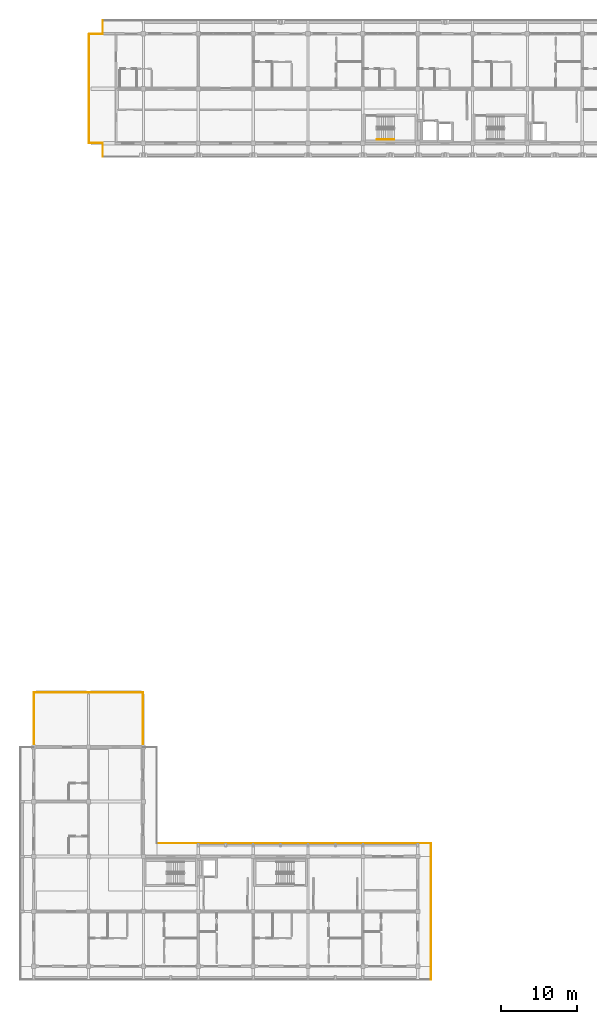
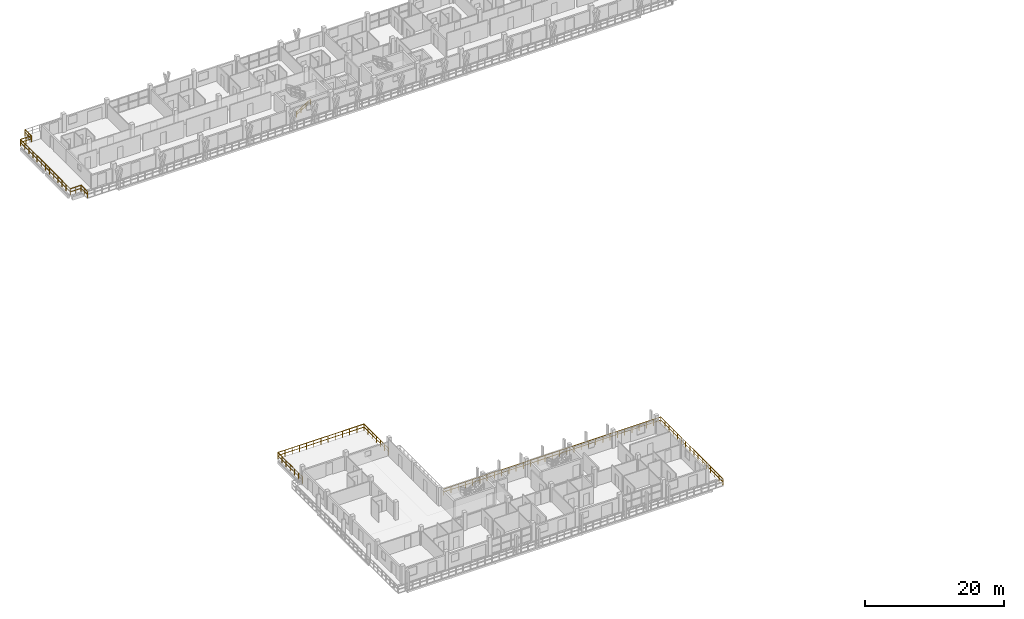
# One storey, part 56 of 67: 11 railings.
"""IFC4 building model written with IfcOpenShell, lengths in metres."""

from ifc_helpers import new_model, si_unit, direction, frame, origin, origin_2d, place, context, subcontext, project, spatial, rectangle, extrude, material, type_object, element, save


model = new_model("IFC4")

# Units and contexts
model_context = context("Model", 3, precision=1e-05, world=origin(), true_north=direction((0.0, 1.0)))
body_context = subcontext(model_context, "Body", "Model", "MODEL_VIEW")
ifc_project = project(units=[si_unit("LENGTHUNIT", "METRE"), si_unit("AREAUNIT", "SQUARE_METRE"), si_unit("VOLUMEUNIT", "CUBIC_METRE"), si_unit("PLANEANGLEUNIT", "RADIAN"), si_unit("MASSUNIT", "GRAM", prefix="KILO")], contexts=[model_context])

# Site, building, storey
site_placement = place(None, origin())
site = spatial("IfcSite", under=ifc_project, at=site_placement, CompositionType="ELEMENT")
building_placement = place(site_placement, origin())
building = spatial("IfcBuilding", under=site, at=building_placement, Name="Suanplinth Sawtooth Commons", CompositionType="ELEMENT")
storey_placement = place(building_placement, frame((0.0, 0.0, 25.10009765625)))
storey = spatial("IfcBuildingStorey", under=building, at=storey_placement, Name="L07", CompositionType="ELEMENT", Elevation=25.10009765625)

# Railings
ifc_material_1 = material(Name="Powder-coated galvanized steel", Category="steel")
railing_type_1 = type_object("IfcRailingType", Name="GR-01", PredefinedType="BALUSTRADE", material=ifc_material_1)
railing_1_placement = place(storey_placement, frame((9.06005859375, 108.06005859375, 0.0)))
element("IfcRailing", 1, at=railing_1_placement, inside=storey, type_object=railing_type_1, Name="L07 Block A Perimeter Balustrade 1", PredefinedType="BALUSTRADE", context=body_context, shape_type="SweptSolid", body=[
    extrude(rectangle(XDim=0.048095703125, YDim=0.048095703125, at=origin_2d()), frame((0.0, 0.0, 1.09619140625), z_axis=(-1.0, 0.0, 0.0), x_axis=(0.0, -1.0, 0.0)), (0.0, 0.0, 1.0), 1.800048828125),
    extrude(rectangle(XDim=0.03369140625, YDim=0.03369140625, at=origin_2d()), frame((0.0, 0.0, 0.56005859375), z_axis=(-1.0, 0.0, 0.0), x_axis=(0.0, -1.0, 0.0)), (0.0, 0.0, 1.0), 1.800048828125),
    extrude(rectangle(XDim=0.0419921875, YDim=0.0419921875, at=origin_2d()), origin(), (0.0, 0.0, 1.0), 1.072021484375),
    extrude(rectangle(XDim=0.0419921875, YDim=0.0419921875, at=origin_2d()), frame((-0.89990234375, 0.0, 0.0)), (0.0, 0.0, 1.0), 1.072021484375),
    extrude(rectangle(XDim=0.0419921875, YDim=0.0419921875, at=origin_2d()), frame((-1.800048828125, 0.0, 0.0)), (0.0, 0.0, 1.0), 1.072021484375),
])
railing_2_placement = place(storey_placement, frame((7.260009765625, 108.06005859375, 0.0)))
element("IfcRailing", 2, at=railing_2_placement, inside=storey, type_object=railing_type_1, Name="L07 Block A Perimeter Balustrade 2", PredefinedType="BALUSTRADE", context=body_context, shape_type="SweptSolid", body=[
    extrude(rectangle(XDim=0.048095703125, YDim=0.048095703125, at=origin_2d()), frame((0.0, 0.0, 1.09619140625), z_axis=(0.0, 1.0, 0.0), x_axis=(-1.0, 0.0, 0.0)), (0.0, 0.0, 1.0), 14.280029296875),
    extrude(rectangle(XDim=0.03369140625, YDim=0.03369140625, at=origin_2d()), frame((0.0, 0.0, 0.56005859375), z_axis=(0.0, 1.0, 0.0), x_axis=(-1.0, 0.0, 0.0)), (0.0, 0.0, 1.0), 14.280029296875),
    extrude(rectangle(XDim=0.0419921875, YDim=0.0419921875, at=origin_2d()), origin(), (0.0, 0.0, 1.0), 1.072021484375),
    extrude(rectangle(XDim=0.0419921875, YDim=0.0419921875, at=origin_2d()), frame((0.0, 1.18994140625, 0.0)), (0.0, 0.0, 1.0), 1.072021484375),
    extrude(rectangle(XDim=0.0419921875, YDim=0.0419921875, at=origin_2d()), frame((0.0, 2.3798828125, 0.0)), (0.0, 0.0, 1.0), 1.072021484375),
    extrude(rectangle(XDim=0.0419921875, YDim=0.0419921875, at=origin_2d()), frame((0.0, 3.570068359375, 0.0)), (0.0, 0.0, 1.0), 1.072021484375),
    extrude(rectangle(XDim=0.0419921875, YDim=0.0419921875, at=origin_2d()), frame((0.0, 4.760009765625, 0.0)), (0.0, 0.0, 1.0), 1.072021484375),
    extrude(rectangle(XDim=0.0419921875, YDim=0.0419921875, at=origin_2d()), frame((0.0, 5.949951171875, 0.0)), (0.0, 0.0, 1.0), 1.072021484375),
    extrude(rectangle(XDim=0.0419921875, YDim=0.0419921875, at=origin_2d()), frame((0.0, 7.14013671875, 0.0)), (0.0, 0.0, 1.0), 1.072021484375),
    extrude(rectangle(XDim=0.0419921875, YDim=0.0419921875, at=origin_2d()), frame((0.0, 8.330078125, 0.0)), (0.0, 0.0, 1.0), 1.072021484375),
    extrude(rectangle(XDim=0.0419921875, YDim=0.0419921875, at=origin_2d()), frame((0.0, 9.52001953125, 0.0)), (0.0, 0.0, 1.0), 1.072021484375),
    extrude(rectangle(XDim=0.0419921875, YDim=0.0419921875, at=origin_2d()), frame((0.0, 10.7099609375, 0.0)), (0.0, 0.0, 1.0), 1.072021484375),
    extrude(rectangle(XDim=0.0419921875, YDim=0.0419921875, at=origin_2d()), frame((0.0, 11.89990234375, 0.0)), (0.0, 0.0, 1.0), 1.072021484375),
    extrude(rectangle(XDim=0.0419921875, YDim=0.0419921875, at=origin_2d()), frame((0.0, 13.090087890625, 0.0)), (0.0, 0.0, 1.0), 1.072021484375),
    extrude(rectangle(XDim=0.0419921875, YDim=0.0419921875, at=origin_2d()), frame((0.0, 14.280029296875, 0.0)), (0.0, 0.0, 1.0), 1.072021484375),
])
railing_3_placement = place(storey_placement, frame((7.260009765625, 122.340087890625, 0.0)))
element("IfcRailing", 3, at=railing_3_placement, inside=storey, type_object=railing_type_1, Name="L07 Block A Perimeter Balustrade 3", PredefinedType="BALUSTRADE", context=body_context, shape_type="SweptSolid", body=[
    extrude(rectangle(XDim=0.048095703125, YDim=0.048095703125, at=origin_2d()), frame((0.0, 0.0, 1.09619140625), z_axis=(1.0, 0.0, 0.0), x_axis=(0.0, 1.0, 0.0)), (0.0, 0.0, 1.0), 1.800048828125),
    extrude(rectangle(XDim=0.03369140625, YDim=0.03369140625, at=origin_2d()), frame((0.0, 0.0, 0.56005859375), z_axis=(1.0, 0.0, 0.0), x_axis=(0.0, 1.0, 0.0)), (0.0, 0.0, 1.0), 1.800048828125),
    extrude(rectangle(XDim=0.0419921875, YDim=0.0419921875, at=origin_2d()), origin(), (0.0, 0.0, 1.0), 1.072021484375),
    extrude(rectangle(XDim=0.0419921875, YDim=0.0419921875, at=origin_2d()), frame((0.89990234375, 0.0, 0.0)), (0.0, 0.0, 1.0), 1.072021484375),
    extrude(rectangle(XDim=0.0419921875, YDim=0.0419921875, at=origin_2d()), frame((1.800048828125, 0.0, 0.0)), (0.0, 0.0, 1.0), 1.072021484375),
])
railing_4_placement = place(storey_placement, frame((9.06005859375, 122.340087890625, 0.0)))
element("IfcRailing", 4, at=railing_4_placement, inside=storey, type_object=railing_type_1, Name="L07 Block A Perimeter Balustrade 4", PredefinedType="BALUSTRADE", context=body_context, shape_type="SweptSolid", body=[
    extrude(rectangle(XDim=0.048095703125, YDim=0.048095703125, at=origin_2d()), frame((0.0, 0.0, 1.09619140625), z_axis=(0.0, 1.0, 0.0), x_axis=(-1.0, 0.0, 0.0)), (0.0, 0.0, 1.0), 1.7998046875),
    extrude(rectangle(XDim=0.03369140625, YDim=0.03369140625, at=origin_2d()), frame((0.0, 0.0, 0.56005859375), z_axis=(0.0, 1.0, 0.0), x_axis=(-1.0, 0.0, 0.0)), (0.0, 0.0, 1.0), 1.7998046875),
    extrude(rectangle(XDim=0.0419921875, YDim=0.0419921875, at=origin_2d()), origin(), (0.0, 0.0, 1.0), 1.072021484375),
    extrude(rectangle(XDim=0.0419921875, YDim=0.0419921875, at=origin_2d()), frame((0.0, 0.89990234375, 0.0)), (0.0, 0.0, 1.0), 1.072021484375),
    extrude(rectangle(XDim=0.0419921875, YDim=0.0419921875, at=origin_2d()), frame((0.0, 1.7998046875, 0.0)), (0.0, 0.0, 1.0), 1.072021484375),
])
railing_5_placement = place(storey_placement, frame((9.06005859375, 106.260009765625, 0.0)))
element("IfcRailing", 5, at=railing_5_placement, inside=storey, type_object=railing_type_1, Name="L07 Block A Perimeter Balustrade 12", PredefinedType="BALUSTRADE", context=body_context, shape_type="SweptSolid", body=[
    extrude(rectangle(XDim=0.048095703125, YDim=0.048095703125, at=origin_2d()), frame((0.0, 0.0, 1.09619140625), z_axis=(0.0, 1.0, 0.0), x_axis=(-1.0, 0.0, 0.0)), (0.0, 0.0, 1.0), 1.800048828125),
    extrude(rectangle(XDim=0.03369140625, YDim=0.03369140625, at=origin_2d()), frame((0.0, 0.0, 0.56005859375), z_axis=(0.0, 1.0, 0.0), x_axis=(-1.0, 0.0, 0.0)), (0.0, 0.0, 1.0), 1.800048828125),
    extrude(rectangle(XDim=0.0419921875, YDim=0.0419921875, at=origin_2d()), origin(), (0.0, 0.0, 1.0), 1.072021484375),
    extrude(rectangle(XDim=0.0419921875, YDim=0.0419921875, at=origin_2d()), frame((0.0, 0.89990234375, 0.0)), (0.0, 0.0, 1.0), 1.072021484375),
    extrude(rectangle(XDim=0.0419921875, YDim=0.0419921875, at=origin_2d()), frame((0.0, 1.800048828125, 0.0)), (0.0, 0.0, 1.0), 1.072021484375),
])
railing_6_placement = place(storey_placement, frame((0.06005859375, 28.820068359375, 0.0)))
element("IfcRailing", 6, at=railing_6_placement, inside=storey, type_object=railing_type_1, Name="L07 Block D Perimeter Balustrade 3", PredefinedType="BALUSTRADE", context=body_context, shape_type="SweptSolid", body=[
    extrude(rectangle(XDim=0.048095703125, YDim=0.048095703125, at=origin_2d()), frame((0.0, 0.0, 1.09619140625), z_axis=(0.0, 1.0, 0.0), x_axis=(-1.0, 0.0, 0.0)), (0.0, 0.0, 1.0), 7.119873046875),
    extrude(rectangle(XDim=0.03369140625, YDim=0.03369140625, at=origin_2d()), frame((0.0, 0.0, 0.56005859375), z_axis=(0.0, 1.0, 0.0), x_axis=(-1.0, 0.0, 0.0)), (0.0, 0.0, 1.0), 7.119873046875),
    extrude(rectangle(XDim=0.0419921875, YDim=0.0419921875, at=origin_2d()), origin(), (0.0, 0.0, 1.0), 1.072021484375),
    extrude(rectangle(XDim=0.0419921875, YDim=0.0419921875, at=origin_2d()), frame((0.0, 1.1865234375, 0.0)), (0.0, 0.0, 1.0), 1.072021484375),
    extrude(rectangle(XDim=0.0419921875, YDim=0.0419921875, at=origin_2d()), frame((0.0, 2.373291015625, 0.0)), (0.0, 0.0, 1.0), 1.072021484375),
    extrude(rectangle(XDim=0.0419921875, YDim=0.0419921875, at=origin_2d()), frame((0.0, 3.56005859375, 0.0)), (0.0, 0.0, 1.0), 1.072021484375),
    extrude(rectangle(XDim=0.0419921875, YDim=0.0419921875, at=origin_2d()), frame((0.0, 4.74658203125, 0.0)), (0.0, 0.0, 1.0), 1.072021484375),
    extrude(rectangle(XDim=0.0419921875, YDim=0.0419921875, at=origin_2d()), frame((0.0, 5.93310546875, 0.0)), (0.0, 0.0, 1.0), 1.072021484375),
    extrude(rectangle(XDim=0.0419921875, YDim=0.0419921875, at=origin_2d()), frame((0.0, 7.119873046875, 0.0)), (0.0, 0.0, 1.0), 1.072021484375),
])
railing_7_placement = place(storey_placement, frame((0.06005859375, 35.93994140625, 0.0)))
element("IfcRailing", 7, at=railing_7_placement, inside=storey, type_object=railing_type_1, Name="L07 Block D Perimeter Balustrade 4", PredefinedType="BALUSTRADE", context=body_context, shape_type="SweptSolid", body=[
    extrude(rectangle(XDim=0.048095703125, YDim=0.048095703125, at=origin_2d()), frame((0.0, 0.0, 1.09619140625), z_axis=(1.0, 0.0, 0.0), x_axis=(0.0, 1.0, 0.0)), (0.0, 0.0, 1.0), 14.280029296875),
    extrude(rectangle(XDim=0.03369140625, YDim=0.03369140625, at=origin_2d()), frame((0.0, 0.0, 0.56005859375), z_axis=(1.0, 0.0, 0.0), x_axis=(0.0, 1.0, 0.0)), (0.0, 0.0, 1.0), 14.280029296875),
    extrude(rectangle(XDim=0.0419921875, YDim=0.0419921875, at=origin_2d()), origin(), (0.0, 0.0, 1.0), 1.072021484375),
    extrude(rectangle(XDim=0.0419921875, YDim=0.0419921875, at=origin_2d()), frame((1.18994140625, 0.0, 0.0)), (0.0, 0.0, 1.0), 1.072021484375),
    extrude(rectangle(XDim=0.0419921875, YDim=0.0419921875, at=origin_2d()), frame((2.3798828125, 0.0, 0.0)), (0.0, 0.0, 1.0), 1.072021484375),
    extrude(rectangle(XDim=0.0419921875, YDim=0.0419921875, at=origin_2d()), frame((3.570068359375, 0.0, 0.0)), (0.0, 0.0, 1.0), 1.072021484375),
    extrude(rectangle(XDim=0.0419921875, YDim=0.0419921875, at=origin_2d()), frame((4.760009765625, 0.0, 0.0)), (0.0, 0.0, 1.0), 1.072021484375),
    extrude(rectangle(XDim=0.0419921875, YDim=0.0419921875, at=origin_2d()), frame((5.949951171875, 0.0, 0.0)), (0.0, 0.0, 1.0), 1.072021484375),
    extrude(rectangle(XDim=0.0419921875, YDim=0.0419921875, at=origin_2d()), frame((7.14013671875, 0.0, 0.0)), (0.0, 0.0, 1.0), 1.072021484375),
    extrude(rectangle(XDim=0.0419921875, YDim=0.0419921875, at=origin_2d()), frame((8.330078125, 0.0, 0.0)), (0.0, 0.0, 1.0), 1.072021484375),
    extrude(rectangle(XDim=0.0419921875, YDim=0.0419921875, at=origin_2d()), frame((9.52001953125, 0.0, 0.0)), (0.0, 0.0, 1.0), 1.072021484375),
    extrude(rectangle(XDim=0.0419921875, YDim=0.0419921875, at=origin_2d()), frame((10.7099609375, 0.0, 0.0)), (0.0, 0.0, 1.0), 1.072021484375),
    extrude(rectangle(XDim=0.0419921875, YDim=0.0419921875, at=origin_2d()), frame((11.89990234375, 0.0, 0.0)), (0.0, 0.0, 1.0), 1.072021484375),
    extrude(rectangle(XDim=0.0419921875, YDim=0.0419921875, at=origin_2d()), frame((13.090087890625, 0.0, 0.0)), (0.0, 0.0, 1.0), 1.072021484375),
    extrude(rectangle(XDim=0.0419921875, YDim=0.0419921875, at=origin_2d()), frame((14.280029296875, 0.0, 0.0)), (0.0, 0.0, 1.0), 1.072021484375),
])
railing_8_placement = place(storey_placement, frame((14.340087890625, 35.93994140625, 0.0)))
element("IfcRailing", 8, at=railing_8_placement, inside=storey, type_object=railing_type_1, Name="L07 Block D Perimeter Balustrade 5", PredefinedType="BALUSTRADE", context=body_context, shape_type="SweptSolid", body=[
    extrude(rectangle(XDim=0.048095703125, YDim=0.048095703125, at=origin_2d()), frame((0.0, 0.0, 1.09619140625), z_axis=(0.0, -1.0, 0.0), x_axis=(1.0, 0.0, 0.0)), (0.0, 0.0, 1.0), 7.119873046875),
    extrude(rectangle(XDim=0.03369140625, YDim=0.03369140625, at=origin_2d()), frame((0.0, 0.0, 0.56005859375), z_axis=(0.0, -1.0, 0.0), x_axis=(1.0, 0.0, 0.0)), (0.0, 0.0, 1.0), 7.119873046875),
    extrude(rectangle(XDim=0.0419921875, YDim=0.0419921875, at=origin_2d()), origin(), (0.0, 0.0, 1.0), 1.072021484375),
    extrude(rectangle(XDim=0.0419921875, YDim=0.0419921875, at=origin_2d()), frame((0.0, -1.1865234375, 0.0)), (0.0, 0.0, 1.0), 1.072021484375),
    extrude(rectangle(XDim=0.0419921875, YDim=0.0419921875, at=origin_2d()), frame((0.0, -2.373291015625, 0.0)), (0.0, 0.0, 1.0), 1.072021484375),
    extrude(rectangle(XDim=0.0419921875, YDim=0.0419921875, at=origin_2d()), frame((0.0, -3.56005859375, 0.0)), (0.0, 0.0, 1.0), 1.072021484375),
    extrude(rectangle(XDim=0.0419921875, YDim=0.0419921875, at=origin_2d()), frame((0.0, -4.74658203125, 0.0)), (0.0, 0.0, 1.0), 1.072021484375),
    extrude(rectangle(XDim=0.0419921875, YDim=0.0419921875, at=origin_2d()), frame((0.0, -5.93310546875, 0.0)), (0.0, 0.0, 1.0), 1.072021484375),
    extrude(rectangle(XDim=0.0419921875, YDim=0.0419921875, at=origin_2d()), frame((0.0, -7.119873046875, 0.0)), (0.0, 0.0, 1.0), 1.072021484375),
])
railing_9_placement = place(storey_placement, frame((16.139892578125, 16.139892578125, 0.0)))
element("IfcRailing", 9, at=railing_9_placement, inside=storey, type_object=railing_type_1, Name="L07 Block D Perimeter Balustrade 8", PredefinedType="BALUSTRADE", context=body_context, shape_type="SweptSolid", body=[
    extrude(rectangle(XDim=0.048095703125, YDim=0.048095703125, at=origin_2d()), frame((0.0, 0.0, 1.09619140625), z_axis=(1.0, 0.0, 0.0), x_axis=(0.0, 1.0, 0.0)), (0.0, 0.0, 1.0), 36.0),
    extrude(rectangle(XDim=0.03369140625, YDim=0.03369140625, at=origin_2d()), frame((0.0, 0.0, 0.56005859375), z_axis=(1.0, 0.0, 0.0), x_axis=(0.0, 1.0, 0.0)), (0.0, 0.0, 1.0), 36.0),
    extrude(rectangle(XDim=0.0419921875, YDim=0.0419921875, at=origin_2d()), origin(), (0.0, 0.0, 1.0), 1.072021484375),
    extrude(rectangle(XDim=0.0419921875, YDim=0.0419921875, at=origin_2d()), frame((1.199951171875, 0.0, 0.0)), (0.0, 0.0, 1.0), 1.072021484375),
    extrude(rectangle(XDim=0.0419921875, YDim=0.0419921875, at=origin_2d()), frame((2.39990234375, 0.0, 0.0)), (0.0, 0.0, 1.0), 1.072021484375),
    extrude(rectangle(XDim=0.0419921875, YDim=0.0419921875, at=origin_2d()), frame((3.60009765625, 0.0, 0.0)), (0.0, 0.0, 1.0), 1.072021484375),
    extrude(rectangle(XDim=0.0419921875, YDim=0.0419921875, at=origin_2d()), frame((4.800048828125, 0.0, 0.0)), (0.0, 0.0, 1.0), 1.072021484375),
    extrude(rectangle(XDim=0.0419921875, YDim=0.0419921875, at=origin_2d()), frame((6.0, 0.0, 0.0)), (0.0, 0.0, 1.0), 1.072021484375),
    extrude(rectangle(XDim=0.0419921875, YDim=0.0419921875, at=origin_2d()), frame((7.199951171875, 0.0, 0.0)), (0.0, 0.0, 1.0), 1.072021484375),
    extrude(rectangle(XDim=0.0419921875, YDim=0.0419921875, at=origin_2d()), frame((8.39990234375, 0.0, 0.0)), (0.0, 0.0, 1.0), 1.072021484375),
    extrude(rectangle(XDim=0.0419921875, YDim=0.0419921875, at=origin_2d()), frame((9.60009765625, 0.0, 0.0)), (0.0, 0.0, 1.0), 1.072021484375),
    extrude(rectangle(XDim=0.0419921875, YDim=0.0419921875, at=origin_2d()), frame((10.800048828125, 0.0, 0.0)), (0.0, 0.0, 1.0), 1.072021484375),
    extrude(rectangle(XDim=0.0419921875, YDim=0.0419921875, at=origin_2d()), frame((12.0, 0.0, 0.0)), (0.0, 0.0, 1.0), 1.072021484375),
    extrude(rectangle(XDim=0.0419921875, YDim=0.0419921875, at=origin_2d()), frame((13.199951171875, 0.0, 0.0)), (0.0, 0.0, 1.0), 1.072021484375),
    extrude(rectangle(XDim=0.0419921875, YDim=0.0419921875, at=origin_2d()), frame((14.39990234375, 0.0, 0.0)), (0.0, 0.0, 1.0), 1.072021484375),
    extrude(rectangle(XDim=0.0419921875, YDim=0.0419921875, at=origin_2d()), frame((15.60009765625, 0.0, 0.0)), (0.0, 0.0, 1.0), 1.072021484375),
    extrude(rectangle(XDim=0.0419921875, YDim=0.0419921875, at=origin_2d()), frame((16.800048828125, 0.0, 0.0)), (0.0, 0.0, 1.0), 1.072021484375),
    extrude(rectangle(XDim=0.0419921875, YDim=0.0419921875, at=origin_2d()), frame((18.0, 0.0, 0.0)), (0.0, 0.0, 1.0), 1.072021484375),
    extrude(rectangle(XDim=0.0419921875, YDim=0.0419921875, at=origin_2d()), frame((19.199951171875, 0.0, 0.0)), (0.0, 0.0, 1.0), 1.072021484375),
    extrude(rectangle(XDim=0.0419921875, YDim=0.0419921875, at=origin_2d()), frame((20.39990234375, 0.0, 0.0)), (0.0, 0.0, 1.0), 1.072021484375),
    extrude(rectangle(XDim=0.0419921875, YDim=0.0419921875, at=origin_2d()), frame((21.60009765625, 0.0, 0.0)), (0.0, 0.0, 1.0), 1.072021484375),
    extrude(rectangle(XDim=0.0419921875, YDim=0.0419921875, at=origin_2d()), frame((22.800048828125, 0.0, 0.0)), (0.0, 0.0, 1.0), 1.072021484375),
    extrude(rectangle(XDim=0.0419921875, YDim=0.0419921875, at=origin_2d()), frame((24.0, 0.0, 0.0)), (0.0, 0.0, 1.0), 1.072021484375),
    extrude(rectangle(XDim=0.0419921875, YDim=0.0419921875, at=origin_2d()), frame((25.199951171875, 0.0, 0.0)), (0.0, 0.0, 1.0), 1.072021484375),
    extrude(rectangle(XDim=0.0419921875, YDim=0.0419921875, at=origin_2d()), frame((26.39990234375, 0.0, 0.0)), (0.0, 0.0, 1.0), 1.072021484375),
    extrude(rectangle(XDim=0.0419921875, YDim=0.0419921875, at=origin_2d()), frame((27.60009765625, 0.0, 0.0)), (0.0, 0.0, 1.0), 1.072021484375),
    extrude(rectangle(XDim=0.0419921875, YDim=0.0419921875, at=origin_2d()), frame((28.800048828125, 0.0, 0.0)), (0.0, 0.0, 1.0), 1.072021484375),
    extrude(rectangle(XDim=0.0419921875, YDim=0.0419921875, at=origin_2d()), frame((30.0, 0.0, 0.0)), (0.0, 0.0, 1.0), 1.072021484375),
    extrude(rectangle(XDim=0.0419921875, YDim=0.0419921875, at=origin_2d()), frame((31.199951171875, 0.0, 0.0)), (0.0, 0.0, 1.0), 1.072021484375),
    extrude(rectangle(XDim=0.0419921875, YDim=0.0419921875, at=origin_2d()), frame((32.39990234375, 0.0, 0.0)), (0.0, 0.0, 1.0), 1.072021484375),
    extrude(rectangle(XDim=0.0419921875, YDim=0.0419921875, at=origin_2d()), frame((33.60009765625, 0.0, 0.0)), (0.0, 0.0, 1.0), 1.072021484375),
    extrude(rectangle(XDim=0.0419921875, YDim=0.0419921875, at=origin_2d()), frame((34.800048828125, 0.0, 0.0)), (0.0, 0.0, 1.0), 1.072021484375),
    extrude(rectangle(XDim=0.0419921875, YDim=0.0419921875, at=origin_2d()), frame((36.0, 0.0, 0.0)), (0.0, 0.0, 1.0), 1.072021484375),
])
railing_10_placement = place(storey_placement, frame((52.139892578125, 16.139892578125, 0.0)))
element("IfcRailing", 10, at=railing_10_placement, inside=storey, type_object=railing_type_1, Name="L07 Block D Perimeter Balustrade 9", PredefinedType="BALUSTRADE", context=body_context, shape_type="SweptSolid", body=[
    extrude(rectangle(XDim=0.048095703125, YDim=0.048095703125, at=origin_2d()), frame((0.0, 0.0, 1.09619140625), z_axis=(0.0, -1.0, 0.0), x_axis=(1.0, 0.0, 0.0)), (0.0, 0.0, 1.0), 17.8798828125),
    extrude(rectangle(XDim=0.03369140625, YDim=0.03369140625, at=origin_2d()), frame((0.0, 0.0, 0.56005859375), z_axis=(0.0, -1.0, 0.0), x_axis=(1.0, 0.0, 0.0)), (0.0, 0.0, 1.0), 17.8798828125),
    extrude(rectangle(XDim=0.0419921875, YDim=0.0419921875, at=origin_2d()), origin(), (0.0, 0.0, 1.0), 1.072021484375),
    extrude(rectangle(XDim=0.0419921875, YDim=0.0419921875, at=origin_2d()), frame((0.0, -1.19189453125, 0.0)), (0.0, 0.0, 1.0), 1.072021484375),
    extrude(rectangle(XDim=0.0419921875, YDim=0.0419921875, at=origin_2d()), frame((0.0, -2.384033203125, 0.0)), (0.0, 0.0, 1.0), 1.072021484375),
    extrude(rectangle(XDim=0.0419921875, YDim=0.0419921875, at=origin_2d()), frame((0.0, -3.575927734375, 0.0)), (0.0, 0.0, 1.0), 1.072021484375),
    extrude(rectangle(XDim=0.0419921875, YDim=0.0419921875, at=origin_2d()), frame((0.0, -4.76806640625, 0.0)), (0.0, 0.0, 1.0), 1.072021484375),
    extrude(rectangle(XDim=0.0419921875, YDim=0.0419921875, at=origin_2d()), frame((0.0, -5.9599609375, 0.0)), (0.0, 0.0, 1.0), 1.072021484375),
    extrude(rectangle(XDim=0.0419921875, YDim=0.0419921875, at=origin_2d()), frame((0.0, -7.15185546875, 0.0)), (0.0, 0.0, 1.0), 1.072021484375),
    extrude(rectangle(XDim=0.0419921875, YDim=0.0419921875, at=origin_2d()), frame((0.0, -8.343994140625, 0.0)), (0.0, 0.0, 1.0), 1.072021484375),
    extrude(rectangle(XDim=0.0419921875, YDim=0.0419921875, at=origin_2d()), frame((0.0, -9.535888671875, 0.0)), (0.0, 0.0, 1.0), 1.072021484375),
    extrude(rectangle(XDim=0.0419921875, YDim=0.0419921875, at=origin_2d()), frame((0.0, -10.72802734375, 0.0)), (0.0, 0.0, 1.0), 1.072021484375),
    extrude(rectangle(XDim=0.0419921875, YDim=0.0419921875, at=origin_2d()), frame((0.0, -11.919921875, 0.0)), (0.0, 0.0, 1.0), 1.072021484375),
    extrude(rectangle(XDim=0.0419921875, YDim=0.0419921875, at=origin_2d()), frame((0.0, -13.11181640625, 0.0)), (0.0, 0.0, 1.0), 1.072021484375),
    extrude(rectangle(XDim=0.0419921875, YDim=0.0419921875, at=origin_2d()), frame((0.0, -14.303955078125, 0.0)), (0.0, 0.0, 1.0), 1.072021484375),
    extrude(rectangle(XDim=0.0419921875, YDim=0.0419921875, at=origin_2d()), frame((0.0, -15.495849609375, 0.0)), (0.0, 0.0, 1.0), 1.072021484375),
    extrude(rectangle(XDim=0.0419921875, YDim=0.0419921875, at=origin_2d()), frame((0.0, -16.68798828125, 0.0)), (0.0, 0.0, 1.0), 1.072021484375),
    extrude(rectangle(XDim=0.0419921875, YDim=0.0419921875, at=origin_2d()), frame((0.0, -17.8798828125, 0.0)), (0.0, 0.0, 1.0), 1.072021484375),
])
ifc_material_2 = material(Name="Stainless steel Grade 304", Category="steel")
railing_type_2 = type_object("IfcRailingType", Name="HR-01", PredefinedType="HANDRAIL", material=ifc_material_2)
railing_11_placement = place(storey_placement, frame((45.050048828125, 108.5, 0.177734375)))
element("IfcRailing", 11, at=railing_11_placement, inside=storey, type_object=railing_type_2, Name="L07 ST-N1 Handrail 1", PredefinedType="HANDRAIL", context=body_context, shape_type="SweptSolid", body=[
    extrude(rectangle(XDim=0.048095703125, YDim=0.048095703125, at=origin_2d()), frame((0.0, 0.0, 0.8759765625), z_axis=(0.848482842525, 0.0, 0.529222888715), x_axis=(0.0, 1.0, 0.0)), (0.0, 0.0, 1.0), 2.687255859375),
    extrude(rectangle(XDim=0.03369140625, YDim=0.03369140625, at=origin_2d()), frame((0.0, 0.0, 0.449951171875), z_axis=(0.848482842525, 0.0, 0.529222888715), x_axis=(0.0, 1.0, 0.0)), (0.0, 0.0, 1.0), 2.687255859375),
    extrude(rectangle(XDim=0.0419921875, YDim=0.0419921875, at=origin_2d()), origin(), (0.0, 0.0, 1.0), 0.851806640625),
    extrude(rectangle(XDim=0.0419921875, YDim=0.0419921875, at=origin_2d()), frame((0.760009765625, 0.0, 0.47412109375)), (0.0, 0.0, 1.0), 0.851806640625),
    extrude(rectangle(XDim=0.0419921875, YDim=0.0419921875, at=origin_2d()), frame((1.52001953125, 0.0, 0.947998046875)), (0.0, 0.0, 1.0), 0.851806640625),
    extrude(rectangle(XDim=0.0419921875, YDim=0.0419921875, at=origin_2d()), frame((2.280029296875, 0.0, 1.422119140625)), (0.0, 0.0, 1.0), 0.851806640625),
])

save(model, "model.ifc")
